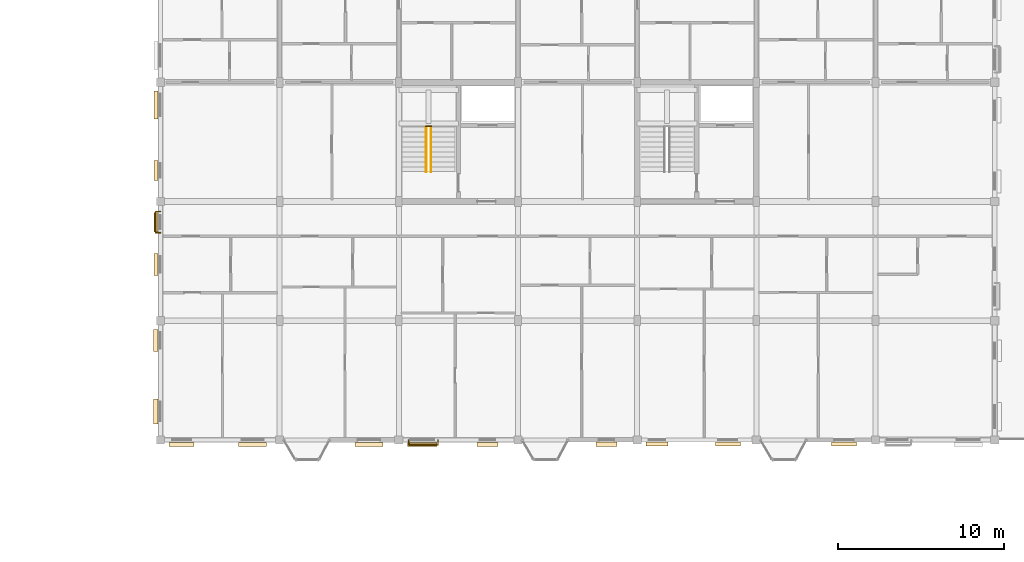
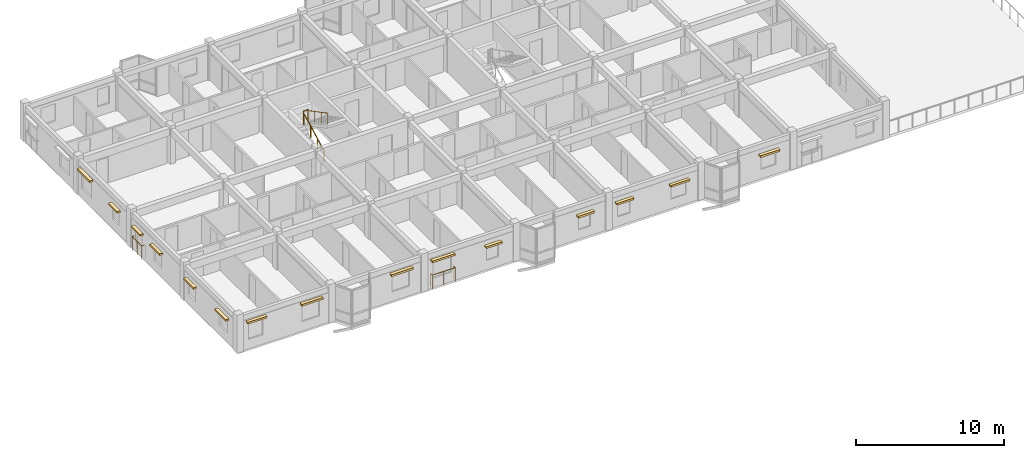
# One storey, part 62 of 64: 15 coverings, 5 railings.
"""IFC4 building model written with IfcOpenShell, lengths in metres."""

from ifc_helpers import new_model, si_unit, direction, frame, origin, origin_2d, place, context, subcontext, project, spatial, rectangle, circle, extrude, material, layer, layer_set, type_object, element, save


model = new_model("IFC4")

# Units and contexts
model_context = context("Model", 3, precision=1e-05, world=origin(), true_north=direction((0.0, 1.0)))
body_context = subcontext(model_context, "Body", "Model", "MODEL_VIEW")
ifc_project = project(units=[si_unit("LENGTHUNIT", "METRE"), si_unit("AREAUNIT", "SQUARE_METRE"), si_unit("VOLUMEUNIT", "CUBIC_METRE"), si_unit("PLANEANGLEUNIT", "RADIAN"), si_unit("MASSUNIT", "GRAM", prefix="KILO"), si_unit("THERMODYNAMICTEMPERATUREUNIT", "KELVIN"), si_unit("POWERUNIT", "WATT")], contexts=[model_context])

# Site, building, storey
site_placement = place(None, origin())
site = spatial("IfcSite", under=ifc_project, at=site_placement, CompositionType="ELEMENT")
building_placement = place(site_placement, origin())
building = spatial("IfcBuilding", under=site, at=building_placement, Name="Tavuni Mirador Residences", CompositionType="ELEMENT")
storey_placement = place(building_placement, frame((0.0, 0.0, 26.550048828125)))
storey = spatial("IfcBuildingStorey", under=building, at=storey_placement, Name="L08", CompositionType="ELEMENT", Elevation=26.550048828125)

# Coverings
ifc_material_1 = material(Name="Natural coral limestone", Category="masonry")
ifc_layer = layer(ifc_material_1, 0.054931640625, Name="Natural coral limestone", Category="masonry")
ifc_layer_set = layer_set([ifc_layer], Name="Natural coral limestone")
covering_type = type_object("IfcCoveringType", Name="CVT-CLAD-CORAL", PredefinedType="CLADDING", material=ifc_layer_set)
covering_1_placement = place(storey_placement, frame((12.074951171875, 143.720458984375, 2.2451171875), z_axis=(0.0, 0.0, 1.0), x_axis=(1.0, 0.0, 0.0)))
element("IfcCovering", 1, at=covering_1_placement, inside=storey, type_object=covering_type, Name="HOOD-0714", PredefinedType="CLADDING", context=body_context, shape_type="SweptSolid", body=[
    extrude(rectangle(XDim=1.489990234375, YDim=0.25, at=origin_2d()), origin(), (0.0, 0.0, 1.0), 0.14990234375),
])
covering_2_placement = place(storey_placement, frame((16.375, 143.720458984375, 2.2451171875), z_axis=(0.0, 0.0, 1.0), x_axis=(1.0, 0.0, 0.0)))
element("IfcCovering", 2, at=covering_2_placement, inside=storey, type_object=covering_type, Name="HOOD-0715", PredefinedType="CLADDING", context=body_context, shape_type="SweptSolid", body=[
    extrude(rectangle(XDim=1.68994140625, YDim=0.25, at=origin_2d()), origin(), (0.0, 0.0, 1.0), 0.14990234375),
])
covering_3_placement = place(storey_placement, frame((23.39501953125, 143.720458984375, 2.240234375), z_axis=(0.0, 0.0, 1.0), x_axis=(1.0, 0.0, 0.0)))
element("IfcCovering", 3, at=covering_3_placement, inside=storey, type_object=covering_type, Name="HOOD-0716", PredefinedType="CLADDING", context=body_context, shape_type="SweptSolid", body=[
    extrude(rectangle(XDim=1.7099609375, YDim=0.260009765625, at=origin_2d()), origin(), (0.0, 0.0, 1.0), 0.159912109375),
])
covering_4_placement = place(storey_placement, frame((26.625, 143.73291015625, 2.2451171875), z_axis=(0.0, 0.0, 1.0), x_axis=(1.0, 0.0, 0.0)))
element("IfcCovering", 4, at=covering_4_placement, inside=storey, type_object=covering_type, Name="HOOD-0717", PredefinedType="CLADDING", context=body_context, shape_type="SweptSolid", body=[
    extrude(rectangle(XDim=1.7900390625, YDim=0.25, at=origin_2d()), origin(), (0.0, 0.0, 1.0), 0.14990234375),
])
covering_5_placement = place(storey_placement, frame((30.56005859375, 143.73291015625, 1.955078125), z_axis=(0.0, 0.0, 1.0), x_axis=(1.0, 0.0, 0.0)))
element("IfcCovering", 5, at=covering_5_placement, inside=storey, type_object=covering_type, Name="HOOD-0718", PredefinedType="CLADDING", context=body_context, shape_type="SweptSolid", body=[
    extrude(rectangle(XDim=1.260009765625, YDim=0.25, at=origin_2d()), origin(), (0.0, 0.0, 1.0), 0.14990234375),
])
covering_6_placement = place(storey_placement, frame((37.7451171875, 143.735595703125, 1.9501953125), z_axis=(0.0, 0.0, 1.0), x_axis=(1.0, 0.0, 0.0)))
element("IfcCovering", 6, at=covering_6_placement, inside=storey, type_object=covering_type, Name="HOOD-0719", PredefinedType="CLADDING", context=body_context, shape_type="SweptSolid", body=[
    extrude(rectangle(XDim=1.280029296875, YDim=0.260009765625, at=origin_2d()), origin(), (0.0, 0.0, 1.0), 0.159912109375),
])
covering_7_placement = place(storey_placement, frame((40.800048828125, 143.75048828125, 1.955078125), z_axis=(0.0, 0.0, 1.0), x_axis=(1.0, 0.0, 0.0)))
element("IfcCovering", 7, at=covering_7_placement, inside=storey, type_object=covering_type, Name="HOOD-0720", PredefinedType="CLADDING", context=body_context, shape_type="SweptSolid", body=[
    extrude(rectangle(XDim=1.340087890625, YDim=0.25, at=origin_2d()), origin(), (0.0, 0.0, 1.0), 0.14990234375),
])
covering_8_placement = place(storey_placement, frame((45.080078125, 143.75048828125, 1.955078125), z_axis=(0.0, 0.0, 1.0), x_axis=(1.0, 0.0, 0.0)))
element("IfcCovering", 8, at=covering_8_placement, inside=storey, type_object=covering_type, Name="HOOD-0721", PredefinedType="CLADDING", context=body_context, shape_type="SweptSolid", body=[
    extrude(rectangle(XDim=1.5, YDim=0.25, at=origin_2d()), origin(), (0.0, 0.0, 1.0), 0.14990234375),
])
covering_9_placement = place(storey_placement, frame((52.094970703125, 143.75048828125, 1.9501953125), z_axis=(0.0, 0.0, 1.0), x_axis=(1.0, 0.0, 0.0)))
element("IfcCovering", 9, at=covering_9_placement, inside=storey, type_object=covering_type, Name="HOOD-0722", PredefinedType="CLADDING", context=body_context, shape_type="SweptSolid", body=[
    extrude(rectangle(XDim=1.52001953125, YDim=0.260009765625, at=origin_2d()), origin(), (0.0, 0.0, 1.0), 0.159912109375),
])
covering_10_placement = place(storey_placement, frame((10.532958984375, 164.22509765625, 2.2451171875), z_axis=(0.0, 0.0, 1.0), x_axis=(0.0, -1.0, 0.0)))
element("IfcCovering", 10, at=covering_10_placement, inside=storey, type_object=covering_type, Name="HOOD-0745", PredefinedType="CLADDING", context=body_context, shape_type="SweptSolid", body=[
    extrude(rectangle(XDim=1.68994140625, YDim=0.25, at=origin_2d()), origin(), (0.0, 0.0, 1.0), 0.14990234375),
])
for number, where, z_axis, x_axis, name in (
    (11, (10.532958984375, 160.27490234375, 1.955078125), (0.0, 0.0, 1.0), (0.0, -1.0, 0.0), "HOOD-0746"),
    (12, (10.525390625, 157.155029296875, 1.955078125), (0.0, 0.0, 1.0), (0.0, -1.0, 0.0), "HOOD-0747"),
):
    element("IfcCovering", number, at=place(storey_placement, frame(where, z_axis=z_axis, x_axis=x_axis)), inside=storey, type_object=covering_type, Name=name, PredefinedType="CLADDING", context=body_context, shape_type="SweptSolid", body=[
        extrude(rectangle(XDim=1.18994140625, YDim=0.25, at=origin_2d()), origin(), (0.0, 0.0, 1.0), 0.14990234375),
    ])
for number, where, z_axis, x_axis, name in (
    (13, (10.525390625, 154.60009765625, 1.955078125), (0.0, 0.0, 1.0), (0.0, -1.0, 0.0), "HOOD-0748"),
    (14, (10.5205078125, 150.0, 1.955078125), (0.0, 0.0, 1.0), (0.0, -1.0, 0.0), "HOOD-0749"),
):
    element("IfcCovering", number, at=place(storey_placement, frame(where, z_axis=z_axis, x_axis=x_axis)), inside=storey, type_object=covering_type, Name=name, PredefinedType="CLADDING", context=body_context, shape_type="SweptSolid", body=[
        extrude(rectangle(XDim=1.340087890625, YDim=0.25, at=origin_2d()), origin(), (0.0, 0.0, 1.0), 0.14990234375),
    ])
covering_11_placement = place(storey_placement, frame((10.5205078125, 145.719970703125, 1.955078125), z_axis=(0.0, 0.0, 1.0), x_axis=(0.0, -1.0, 0.0)))
element("IfcCovering", 15, at=covering_11_placement, inside=storey, type_object=covering_type, Name="HOOD-0750", PredefinedType="CLADDING", context=body_context, shape_type="SweptSolid", body=[
    extrude(rectangle(XDim=1.5, YDim=0.25, at=origin_2d()), origin(), (0.0, 0.0, 1.0), 0.14990234375),
])

# Railings
ifc_material_2 = material(Name="Structural steel S355", Category="steel")
railing_type_1 = type_object("IfcRailingType", Name="RT-BL1150", PredefinedType="BALUSTRADE", material=ifc_material_2)
railing_1_placement = place(storey_placement, frame((25.800048828125, 144.0, 0.0400390625)))
element("IfcRailing", 16, at=railing_1_placement, inside=storey, type_object=railing_type_1, Name="BALC-BLK-C-L08-S02", PredefinedType="BALUSTRADE", context=body_context, shape_type="SweptSolid", body=[
    extrude(circle(Radius=0.02392578125, at=origin_2d()), frame((0.0, 0.0, 1.1259765625), z_axis=(0.0, -1.0, 0.0), x_axis=(1.0, 0.0, 0.0)), (0.0, 0.0, 1.0), 0.284912109375),
    extrude(circle(Radius=0.02392578125, at=origin_2d()), frame((0.0, -0.284912109375, 1.1259765625), z_axis=(1.0, 0.0, 0.0), x_axis=(0.0, 1.0, 0.0)), (0.0, 0.0, 1.0), 1.77001953125),
    extrude(circle(Radius=0.02392578125, at=origin_2d()), frame((1.77001953125, -0.284912109375, 1.1259765625), z_axis=(0.0, 1.0, 0.0), x_axis=(-1.0, 0.0, 0.0)), (0.0, 0.0, 1.0), 0.284912109375),
    extrude(circle(Radius=0.02099609375, at=origin_2d()), origin(), (0.0, 0.0, 1.0), 1.101806640625),
    extrude(circle(Radius=0.02099609375, at=origin_2d()), frame((0.0, -0.284912109375, 0.0)), (0.0, 0.0, 1.0), 1.101806640625),
    extrude(circle(Radius=0.02099609375, at=origin_2d()), frame((0.885009765625, -0.284912109375, 0.0)), (0.0, 0.0, 1.0), 1.101806640625),
    extrude(circle(Radius=0.02099609375, at=origin_2d()), frame((1.77001953125, -0.284912109375, 0.0)), (0.0, 0.0, 1.0), 1.101806640625),
    extrude(circle(Radius=0.02099609375, at=origin_2d()), frame((1.77001953125, 0.0, 0.0)), (0.0, 0.0, 1.0), 1.101806640625),
])
railing_2_placement = place(storey_placement, frame((10.800048828125, 157.800048828125, 0.0400390625)))
element("IfcRailing", 17, at=railing_2_placement, inside=storey, type_object=railing_type_1, Name="BALC-BLK-C-L08-W01", PredefinedType="BALUSTRADE", context=body_context, shape_type="SweptSolid", body=[
    extrude(circle(Radius=0.02392578125, at=origin_2d()), frame((0.0, 0.0, 1.1259765625), z_axis=(-1.0, 0.0, 0.0), x_axis=(0.0, -1.0, 0.0)), (0.0, 0.0, 1.0), 0.29248046875),
    extrude(circle(Radius=0.02392578125, at=origin_2d()), frame((-0.29248046875, 0.0, 1.1259765625), z_axis=(0.0, -1.0, 0.0), x_axis=(1.0, 0.0, 0.0)), (0.0, 0.0, 1.0), 1.2900390625),
    extrude(circle(Radius=0.02392578125, at=origin_2d()), frame((-0.29248046875, -1.2900390625, 1.1259765625), z_axis=(1.0, 0.0, 0.0), x_axis=(0.0, 1.0, 0.0)), (0.0, 0.0, 1.0), 0.29248046875),
    extrude(circle(Radius=0.02099609375, at=origin_2d()), origin(), (0.0, 0.0, 1.0), 1.101806640625),
    extrude(circle(Radius=0.02099609375, at=origin_2d()), frame((-0.29248046875, 0.0, 0.0)), (0.0, 0.0, 1.0), 1.101806640625),
    extrude(circle(Radius=0.02099609375, at=origin_2d()), frame((-0.29248046875, -0.64501953125, 0.0)), (0.0, 0.0, 1.0), 1.101806640625),
    extrude(circle(Radius=0.02099609375, at=origin_2d()), frame((-0.29248046875, -1.2900390625, 0.0)), (0.0, 0.0, 1.0), 1.101806640625),
    extrude(circle(Radius=0.02099609375, at=origin_2d()), frame((0.0, -1.2900390625, 0.0)), (0.0, 0.0, 1.0), 1.101806640625),
])
railing_type_2 = type_object("IfcRailingType", Name="RT-GR1120", PredefinedType="GUARDRAIL", material=ifc_material_2)
railing_3_placement = place(storey_placement, frame((26.820068359375, 162.93994140625, 1.574951171875)))
element("IfcRailing", 18, at=railing_3_placement, inside=storey, type_object=railing_type_2, Name="GRD-HL-ST5-L08", PredefinedType="GUARDRAIL", context=body_context, shape_type="SweptSolid", body=[
    extrude(circle(Radius=0.02392578125, at=origin_2d()), frame((0.0, 0.0, 1.09619140625), z_axis=(1.0, 0.0, 0.0), x_axis=(0.0, 1.0, 0.0)), (0.0, 0.0, 1.0), 0.35986328125),
    extrude(circle(Radius=0.02099609375, at=origin_2d()), origin(), (0.0, 0.0, 1.0), 1.072021484375),
    extrude(circle(Radius=0.02099609375, at=origin_2d()), frame((0.35986328125, 0.0, 0.0)), (0.0, 0.0, 1.0), 1.072021484375),
])
railing_type_3 = type_object("IfcRailingType", Name="RT-HR920", PredefinedType="HANDRAIL", material=ifc_material_2)
railing_4_placement = place(storey_placement, frame((26.85009765625, 160.199951171875, 0.157470703125)))
element("IfcRailing", 19, at=railing_4_placement, inside=storey, type_object=railing_type_3, Name="HR-ST5-L08-F1", PredefinedType="HANDRAIL", context=body_context, shape_type="SweptSolid", body=[
    extrude(circle(Radius=0.02392578125, at=origin_2d()), frame((0.0, 0.0, 0.89599609375), z_axis=(0.0, 0.885397079081, 0.464835468048), x_axis=(-1.0, 0.0, 0.0)), (0.0, 0.0, 1.0), 3.04931640625),
    extrude(circle(Radius=0.02099609375, at=origin_2d()), origin(), (0.0, 0.0, 1.0), 0.871826171875),
    extrude(circle(Radius=0.02099609375, at=origin_2d()), frame((0.0, 0.89990234375, 0.472412109375)), (0.0, 0.0, 1.0), 0.871826171875),
    extrude(circle(Radius=0.02099609375, at=origin_2d()), frame((0.0, 1.800048828125, 0.945068359375)), (0.0, 0.0, 1.0), 0.871826171875),
    extrude(circle(Radius=0.02099609375, at=origin_2d()), frame((0.0, 2.699951171875, 1.41748046875)), (0.0, 0.0, 1.0), 0.871826171875),
])
railing_5_placement = place(storey_placement, frame((27.14990234375, 162.89990234375, 1.732421875)))
element("IfcRailing", 20, at=railing_5_placement, inside=storey, type_object=railing_type_3, Name="HR-ST5-L08-F2", PredefinedType="HANDRAIL", context=body_context, shape_type="SweptSolid", body=[
    extrude(circle(Radius=0.02392578125, at=origin_2d()), frame((0.0, 0.0, 0.89599609375), z_axis=(0.0, -0.885397079081, 0.464835468048), x_axis=(1.0, 0.0, 0.0)), (0.0, 0.0, 1.0), 3.04931640625),
    extrude(circle(Radius=0.02099609375, at=origin_2d()), origin(), (0.0, 0.0, 1.0), 0.871826171875),
    extrude(circle(Radius=0.02099609375, at=origin_2d()), frame((0.0, -0.89990234375, 0.472412109375)), (0.0, 0.0, 1.0), 0.871826171875),
    extrude(circle(Radius=0.02099609375, at=origin_2d()), frame((0.0, -1.800048828125, 0.945068359375)), (0.0, 0.0, 1.0), 0.871826171875),
    extrude(circle(Radius=0.02099609375, at=origin_2d()), frame((0.0, -2.699951171875, 1.41748046875)), (0.0, 0.0, 1.0), 0.871826171875),
])

save(model, "model.ifc")
